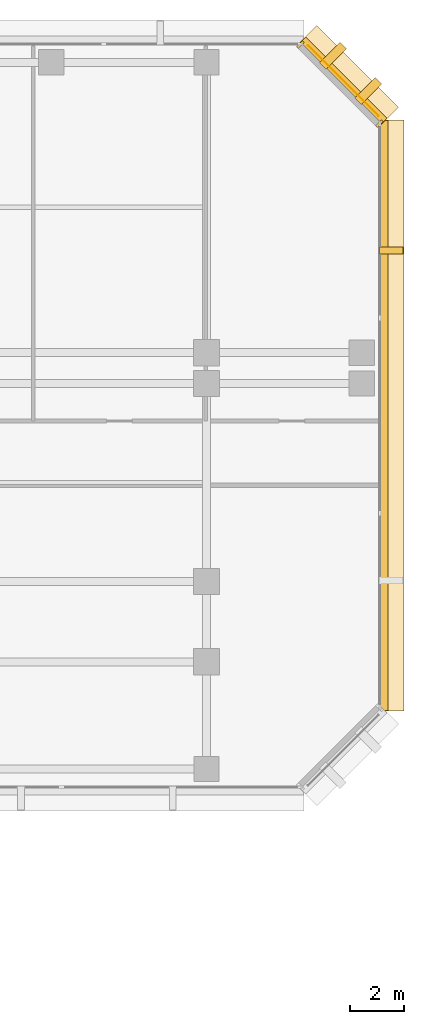
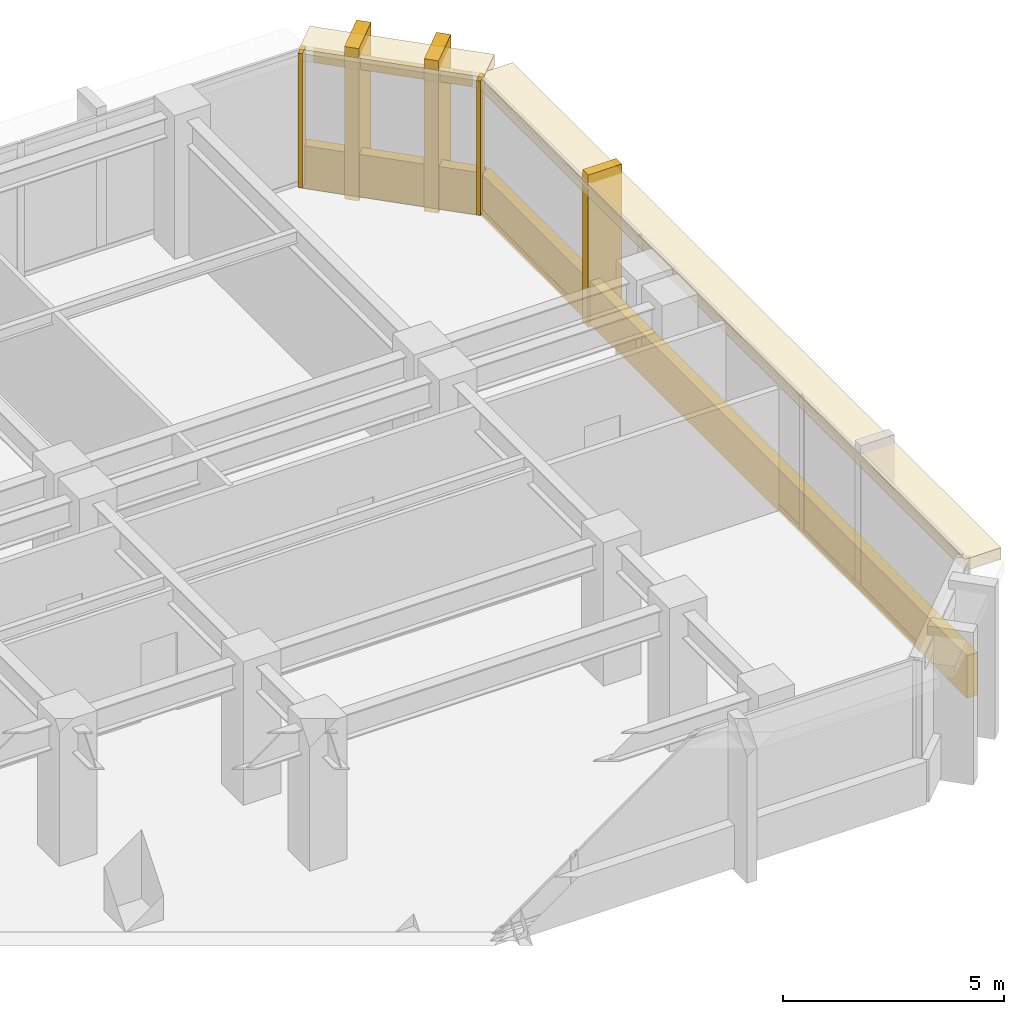
# One storey, part 13 of 13: 10 coverings.
"""IFC4 building model written with IfcOpenShell, lengths in metres."""

from ifc_helpers import new_model, si_unit, direction, frame, origin, origin_2d, place, context, subcontext, project, spatial, rectangle, extrude, material, layer, layer_set, type_object, element, save


model = new_model("IFC4")

# Units and contexts
model_context = context("Model", 3, precision=1e-05, world=origin(), true_north=direction((0.0, 1.0)))
body_context = subcontext(model_context, "Body", "Model", "MODEL_VIEW")
ifc_project = project(units=[si_unit("LENGTHUNIT", "METRE"), si_unit("AREAUNIT", "SQUARE_METRE"), si_unit("VOLUMEUNIT", "CUBIC_METRE"), si_unit("PLANEANGLEUNIT", "RADIAN"), si_unit("MASSUNIT", "GRAM", prefix="KILO")], contexts=[model_context])

# Site, building, storey
site_placement = place(None, origin())
site = spatial("IfcSite", under=ifc_project, at=site_placement, CompositionType="ELEMENT")
building_placement = place(site_placement, origin())
building = spatial("IfcBuilding", under=site, at=building_placement, Name="Kefirva Bronze Tower", CompositionType="ELEMENT")
storey_placement = place(building_placement, frame((0.0, 0.0, 73.919921875)))
storey = spatial("IfcBuildingStorey", under=building, at=storey_placement, Name="L17", CompositionType="ELEMENT", Elevation=73.919921875)

# Coverings
ifc_material = material(Name="Bronze anodised aluminium", Category="aluminium")
ifc_layer_1 = layer(ifc_material, 0.02001953125, Name="Bronze anodised aluminium")
ifc_layer_set_1 = layer_set([ifc_layer_1], Name="Bronze anodised aluminium")
covering_type_1 = type_object("IfcCoveringType", Name="Anodised Bronze Spandrel Cladding 20mm", PredefinedType="CLADDING", material=ifc_layer_set_1)
covering_1_placement = place(storey_placement, frame((56.0400390625, 32.0, -0.15966796875), z_axis=(0.0, 0.0, 1.0), x_axis=(0.0, 1.0, 0.0)))
element("IfcCovering", 1, at=covering_1_placement, inside=storey, type_object=covering_type_1, Name="L17 Streamline Horizontal Spandrel Band 6", PredefinedType="CLADDING", context=body_context, shape_type="SweptSolid", body=[
    extrude(rectangle(XDim=22.0400390625, YDim=0.280029296875, at=origin_2d()), origin(), (0.0, 0.0, 1.0), 1.179931640625),
])
covering_2_placement = place(storey_placement, frame((54.507080078125, 44.507080078125, 3.2900390625), z_axis=(0.0, 0.0, 1.0), x_axis=(-0.707106781187, 0.707106781187, 0.0)))
element("IfcCovering", 2, at=covering_2_placement, inside=storey, type_object=covering_type_1, Name="L17 Bronze Spandrel Cladding 5", PredefinedType="CLADDING", context=body_context, shape_type="SweptSolid", body=[
    extrude(rectangle(XDim=3.719482421875, YDim=0.02001953125, at=origin_2d()), origin(), (0.0, 0.0, 1.0), 0.39990234375),
])
for number, where, z_axis, x_axis, name in (
    (3, (55.862060546875, 42.91162109375, 0.0), (0.0, 0.0, 1.0), (-0.707106781187, 0.707106781187, 0.0), "L17 Facade Joint Closure Panel 5S"),
    (4, (52.91162109375, 45.862060546875, 0.0), (0.0, 0.0, 1.0), (-0.707106781187, 0.707106781187, 0.0), "L17 Facade Joint Closure Panel 5E"),
):
    element("IfcCovering", number, at=place(storey_placement, frame(where, z_axis=z_axis, x_axis=x_axis)), inside=storey, type_object=covering_type_1, Name=name, PredefinedType="CLADDING", context=body_context, shape_type="SweptSolid", body=[
        extrude(rectangle(XDim=0.10009765625, YDim=0.320068359375, at=origin_2d()), origin(), (0.0, 0.0, 1.0), 3.7099609375),
    ])
covering_3_placement = place(storey_placement, frame((54.5283203125, 44.5283203125, -0.15966796875), z_axis=(0.0, 0.0, 1.0), x_axis=(-0.707106781187, 0.707106781187, 0.0)))
element("IfcCovering", 5, at=covering_3_placement, inside=storey, type_object=covering_type_1, Name="L17 Streamline Horizontal Spandrel Band 7", PredefinedType="CLADDING", context=body_context, shape_type="SweptSolid", body=[
    extrude(rectangle(XDim=4.28271484375, YDim=0.280029296875, at=origin_2d()), origin(), (0.0, 0.0, 1.0), 1.179931640625),
])
ifc_layer_2 = layer(ifc_material, 0.179931640625, Name="Bronze anodised aluminium")
ifc_layer_set_2 = layer_set([ifc_layer_2], Name="Bronze anodised aluminium")
covering_type_2 = type_object("IfcCoveringType", Name="Streamline Bronze Sunshade Eyebrow Cladding 180mm", PredefinedType="CLADDING", material=ifc_layer_set_2)
covering_4_placement = place(storey_placement, frame((56.31005859375, 32.0, 3.39013671875), z_axis=(0.0, 0.0, 1.0), x_axis=(0.0, 1.0, 0.0)))
element("IfcCovering", 6, at=covering_4_placement, inside=storey, type_object=covering_type_2, Name="L17 Streamline Bronze Sunshade Eyebrow 6", PredefinedType="CLADDING", context=body_context, shape_type="SweptSolid", body=[
    extrude(rectangle(XDim=22.080078125, YDim=0.93994140625, at=origin_2d()), origin(), (0.0, 0.0, 1.0), 0.320068359375),
])
covering_5_placement = place(storey_placement, frame((54.71923828125, 44.71923828125, 3.39013671875), z_axis=(0.0, 0.0, 1.0), x_axis=(-0.707106781187, 0.707106781187, 0.0)))
element("IfcCovering", 7, at=covering_5_placement, inside=storey, type_object=covering_type_2, Name="L17 Streamline Bronze Sunshade Eyebrow 7", PredefinedType="CLADDING", context=body_context, shape_type="SweptSolid", body=[
    extrude(rectangle(XDim=4.322509765625, YDim=0.93994140625, at=origin_2d()), origin(), (0.0, 0.0, 1.0), 0.320068359375),
])
ifc_layer_3 = layer(ifc_material, 0.260009765625, Name="Bronze anodised aluminium")
ifc_layer_set_3 = layer_set([ifc_layer_3], Name="Bronze anodised aluminium")
covering_type_3 = type_object("IfcCoveringType", Name="Unbroken Bronze Buttress Fin Cladding 260mm", PredefinedType="CLADDING", material=ifc_layer_set_3)
covering_6_placement = place(storey_placement, frame((56.300048828125, 38.159912109375, -0.25), z_axis=(0.0, 0.0, 1.0), x_axis=(0.0, 1.0, 0.0)))
element("IfcCovering", 8, at=covering_6_placement, inside=storey, type_object=covering_type_3, Name="L17 Unbroken Vertical Bronze Rib Fin 16", PredefinedType="CLADDING", context=body_context, shape_type="SweptSolid", body=[
    extrude(rectangle(XDim=0.260009765625, YDim=0.8798828125, at=origin_2d()), origin(), (0.0, 0.0, 1.0), 4.2099609375),
])
for number, where, z_axis, x_axis, name in (
    (9, (55.44287109375, 44.122802734375, -0.25), (0.0, 0.0, 1.0), (-0.707106781187, 0.707106781187, 0.0), "L17 Chamfered Corner Buttress Fin Cladding 17"),
    (10, (54.122802734375, 45.44287109375, -0.25), (0.0, 0.0, 1.0), (-0.707106781187, 0.707106781187, 0.0), "L17 Chamfered Corner Buttress Fin Cladding 18"),
):
    element("IfcCovering", number, at=place(storey_placement, frame(where, z_axis=z_axis, x_axis=x_axis)), inside=storey, type_object=covering_type_3, Name=name, PredefinedType="CLADDING", context=body_context, shape_type="SweptSolid", body=[
        extrude(rectangle(XDim=0.340087890625, YDim=1.080078125, at=origin_2d()), origin(), (0.0, 0.0, 1.0), 4.2099609375),
    ])

save(model, "model.ifc")
